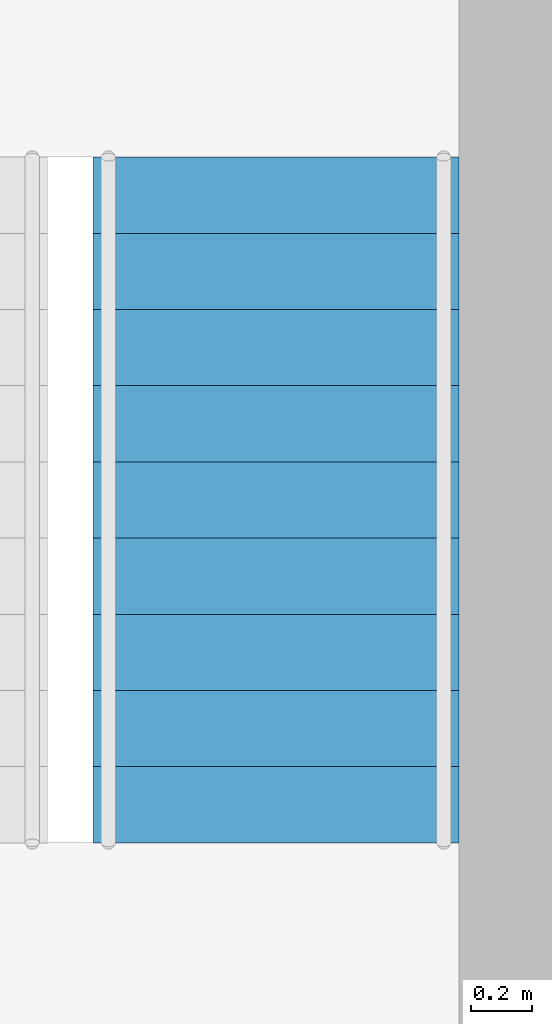
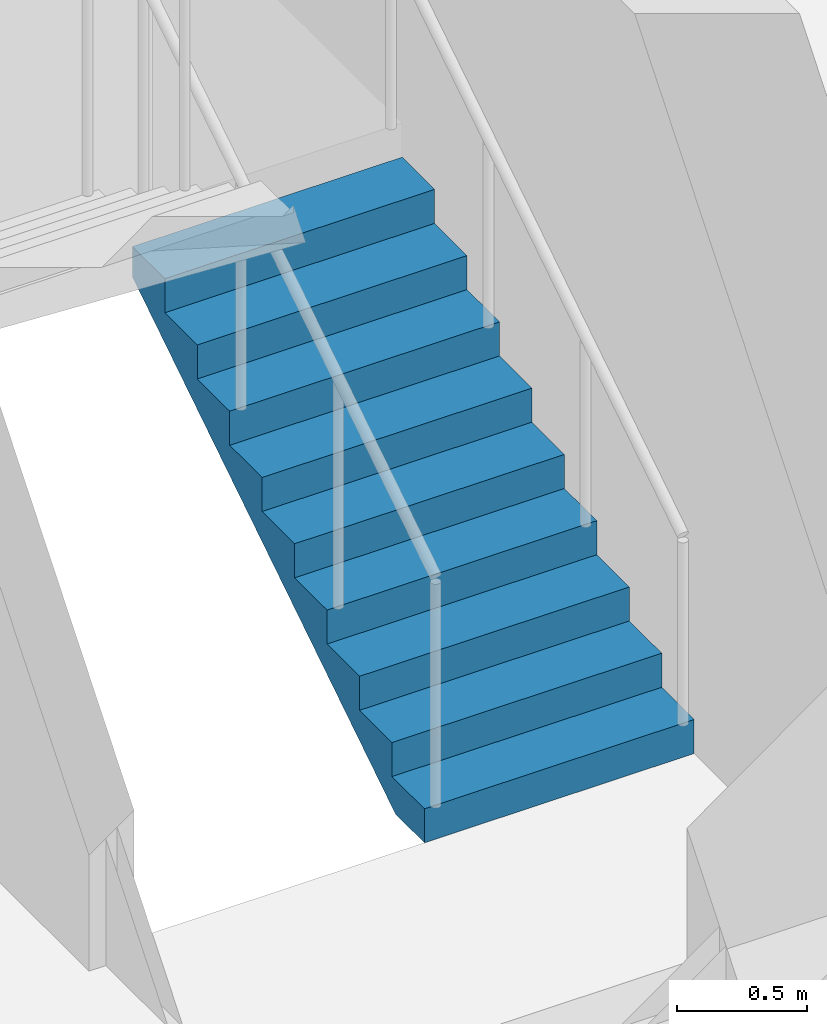
# One storey, part 10 of 13: 1 stair flight, 1 element without a shape of its own.
"""IFC4 building model written with IfcOpenShell, lengths in metres."""

import ifcopenshell
import ifcopenshell.guid

model = None  # the IFC model being written
_history = None  # IfcOwnerHistory: only IFC2X3 demands one
_inside = {}  # id of a spatial element -> (the spatial element, [elements in it])
_under = {}  # id of a project, library or spatial element -> (it, [spatial elements below it])
_declared = {}  # id of a project -> (the project, [libraries it declares])
_typed = {}  # id of a type object -> (the type object, [elements of that type])
_made_of = {}  # id of a material, layer set ... -> (it, [elements and type objects made of it])


def new_model(schema):
    """Start an empty IFC model of exactly this schema.

    Asked for "IFC4X3", IfcOpenShell would pick the latest addendum, in which some entities
    have other attributes; the version numbers below select the first issue.
    IFC2X3 requires an IfcOwnerHistory on every rooted entity: one is made here for all.
    """
    global model, _history
    if schema == "IFC4X3":
        model = ifcopenshell.file(schema_version=(4, 3, 0, 0))
    else:
        model = ifcopenshell.file(schema=schema)
    _inside.clear()
    _under.clear()
    _declared.clear()
    _typed.clear()
    _made_of.clear()
    _history = None
    if model.schema == "IFC2X3":
        org = make("IfcOrganization", Name="unknown")
        user = make(
            "IfcPersonAndOrganization",
            ThePerson=make("IfcPerson", FamilyName="unknown"),
            TheOrganization=org,
        )
        app = make(
            "IfcApplication",
            ApplicationDeveloper=org,
            Version="unknown",
            ApplicationFullName="unknown",
            ApplicationIdentifier="unknown",
        )
        _history = make(
            "IfcOwnerHistory",
            OwningUser=user,
            OwningApplication=app,
            ChangeAction="ADDED",
            CreationDate=0,
        )
    return model


def make(cls, **values):
    """One entity of the class cls with the attributes given. An attribute that is None is left unset."""
    return model.create_entity(
        cls, **{name: value for name, value in values.items() if value is not None}
    )


def rooted(cls, **values):
    """An entity with a GlobalId (a new one), such as an element, a storey or a relation."""
    return make(cls, GlobalId=ifcopenshell.guid.new(), OwnerHistory=_history, **values)


def si_unit(unit_type, name, prefix=None):
    """IfcSIUnit, for example si_unit("LENGTHUNIT", "METRE", prefix="MILLI")."""
    return make("IfcSIUnit", UnitType=unit_type, Prefix=prefix, Name=name)


def assignment(units):
    """IfcUnitAssignment: the units of a project."""
    return None if units is None else make("IfcUnitAssignment", Units=units)


def point(xyz):
    """IfcCartesianPoint."""
    return None if xyz is None else make("IfcCartesianPoint", Coordinates=xyz)


def direction(xyz):
    """IfcDirection."""
    return None if xyz is None else make("IfcDirection", DirectionRatios=xyz)


def frame(location, z_axis=None, x_axis=None):
    """IfcAxis2Placement3D, a coordinate frame: its origin and axes. An axis left out is left unset."""
    return make(
        "IfcAxis2Placement3D",
        Location=point(location),
        Axis=direction(z_axis),
        RefDirection=direction(x_axis),
    )


def origin():
    """The frame at (0, 0, 0) with its axes left unset."""
    return frame((0.0, 0.0, 0.0))


def place(relative_to, where):
    """IfcLocalPlacement: puts the frame where relative to a parent placement (None: the world)."""
    return make(
        "IfcLocalPlacement", PlacementRelTo=relative_to, RelativePlacement=where
    )


def context(
    kind, dimensions, precision=None, world=None, true_north=None, identifier=None
):
    """IfcGeometricRepresentationContext, for example the 3D "Model" context."""
    return make(
        "IfcGeometricRepresentationContext",
        ContextIdentifier=identifier,
        ContextType=kind,
        CoordinateSpaceDimension=dimensions,
        Precision=precision,
        WorldCoordinateSystem=world,
        TrueNorth=true_north,
    )


def subcontext(parent, identifier, kind, view, scale=None):
    """IfcGeometricRepresentationSubContext, for example "Body" below "Model"."""
    return make(
        "IfcGeometricRepresentationSubContext",
        ContextIdentifier=identifier,
        ContextType=kind,
        ParentContext=parent,
        TargetScale=scale,
        TargetView=view,
    )


def project(units=None, contexts=None):
    """IfcProject with its units and contexts."""
    return rooted(
        "IfcProject",
        Name="project",
        RepresentationContexts=contexts,
        UnitsInContext=assignment(units),
    )


def spatial(cls, under=None, at=None, **own):
    """A site, building, storey or space (cls), placed at a placement, below another one or the project."""
    s = rooted(cls, ObjectPlacement=at, **own)
    if under is not None:
        _under.setdefault(under.id(), (under, []))[1].append(s)
    return s


def polyline(points):
    """IfcPolyline through the points."""
    return make("IfcPolyline", Points=[point(p) for p in points])


def outline(outer, holes=None, kind="AREA"):
    """IfcArbitraryClosedProfileDef: a profile drawn as a closed curve; with holes, ...WithVoids."""
    if holes is None:
        return make("IfcArbitraryClosedProfileDef", ProfileType=kind, OuterCurve=outer)
    return make(
        "IfcArbitraryProfileDefWithVoids",
        ProfileType=kind,
        OuterCurve=outer,
        InnerCurves=holes,
    )


def extrude(swept, where, along, depth):
    """IfcExtrudedAreaSolid: the profile swept, set in the frame where, extruded along a direction by depth."""
    return make(
        "IfcExtrudedAreaSolid",
        SweptArea=swept,
        Position=where,
        ExtrudedDirection=direction(along),
        Depth=depth,
    )


def shape(context_of_items, identifier, shape_type, items):
    """IfcShapeRepresentation: the items that make up one representation, for example the "Body"."""
    return make(
        "IfcShapeRepresentation",
        ContextOfItems=context_of_items,
        RepresentationIdentifier=identifier,
        RepresentationType=shape_type,
        Items=items,
    )


def material(Name=None, Category=None):
    """IfcMaterial."""
    return make("IfcMaterial", Name=Name, Category=Category)


def made_of(thing, what):
    """Note that an element or type object is made of a material, layer set ...; save() writes the relation."""
    if what is not None:
        _made_of.setdefault(what.id(), (what, []))[1].append(thing)
    return thing


def type_object(cls, material=None, **own):
    """A type object (cls), such as IfcWallType, which elements share."""
    return made_of(rooted(cls, **own), material)


def element(
    cls,
    number,
    at=None,
    inside=None,
    cuts=None,
    type_object=None,
    material=None,
    context=None,
    identifier="Body",
    shape_type=None,
    held_by="IfcProductDefinitionShape",
    body=None,
    shapes=None,
    **own,
):
    """One element of the class cls, such as IfcWall. Its Tag is "e" and its number.

    at: its placement. inside: the storey or other place that contains it. cuts: it is an
    opening in that element (IfcRelVoidsElement). A single representation is given by context,
    identifier, shape_type and body (its items); several are given by shapes. held_by: the class
    of the entity that holds the representations. save() writes the other relations.
    """
    e = rooted(cls, Tag="e%d" % number, ObjectPlacement=at, **own)
    if body is not None:
        shapes = [shape(context, identifier, shape_type, body)]
    if shapes is not None:
        e.Representation = make(held_by, Representations=shapes)
    if inside is not None:
        _inside.setdefault(inside.id(), (inside, []))[1].append(e)
    if cuts is not None:
        rooted(
            "IfcRelVoidsElement", RelatingBuildingElement=cuts, RelatedOpeningElement=e
        )
    if type_object is not None:
        _typed.setdefault(type_object.id(), (type_object, []))[1].append(e)
    return made_of(e, material)


def aggregate(whole, parts):
    """IfcRelAggregates: a whole, such as a stair, and the parts it consists of."""
    return rooted("IfcRelAggregates", RelatingObject=whole, RelatedObjects=parts)


def save(model, path):
    """Write the relations noted so far, then the file.

    IfcRelAggregates (storeys below a building ...), IfcRelContainedInSpatialStructure (elements
    in a storey), IfcRelDefinesByType, IfcRelAssociatesMaterial and IfcRelDeclares: one each for
    every whole, place, type object, material and project.
    """
    for whole, parts in _under.values():
        aggregate(whole, parts)
    for where, things in _inside.values():
        rooted(
            "IfcRelContainedInSpatialStructure",
            RelatedElements=things,
            RelatingStructure=where,
        )
    for kind, things in _typed.values():
        rooted("IfcRelDefinesByType", RelatedObjects=things, RelatingType=kind)
    for what, things in _made_of.values():
        rooted("IfcRelAssociatesMaterial", RelatedObjects=things, RelatingMaterial=what)
    for by, libraries in _declared.values():
        rooted("IfcRelDeclares", RelatingContext=by, RelatedDefinitions=libraries)
    model.write(path)


model = new_model("IFC4")

# Units and contexts
model_context = context("Model", 3, precision=1e-05, world=origin(), true_north=direction((0.0, 1.0)))
body_context = subcontext(model_context, "Body", "Model", "MODEL_VIEW")
ifc_project = project(units=[si_unit("LENGTHUNIT", "METRE"), si_unit("AREAUNIT", "SQUARE_METRE"), si_unit("VOLUMEUNIT", "CUBIC_METRE"), si_unit("PLANEANGLEUNIT", "RADIAN"), si_unit("MASSUNIT", "GRAM", prefix="KILO")], contexts=[model_context])

# Site, building, storey
site_placement = place(None, origin())
site = spatial("IfcSite", under=ifc_project, at=site_placement, CompositionType="ELEMENT")
building_placement = place(site_placement, origin())
building = spatial("IfcBuilding", under=site, at=building_placement, Name="Girih Gate Residences", CompositionType="ELEMENT")
storey_placement = place(building_placement, frame((0.0, 0.0, 102.39990234375)))
storey = spatial("IfcBuildingStorey", under=building, at=storey_placement, Name="L28", CompositionType="ELEMENT", Elevation=102.39990234375)

# Stair, stair flight
ifc_material = material(Name="Concrete C40/50", Category="concrete")
stair_type = type_object("IfcStairType", Name="Exit stair", PredefinedType="HALF_TURN_STAIR", material=ifc_material)
stair_placement = place(storey_placement, origin())
stair = element("IfcStair", 1, at=stair_placement, inside=storey, type_object=stair_type, Name="L28 Exit Stair ST-E1", PredefinedType="HALF_TURN_STAIR")
stair_flight_type = type_object("IfcStairFlightType", Name="Stair flight 1200", PredefinedType="STRAIGHT", material=ifc_material)
stair_flight_placement = place(storey_placement, frame((43.699951171875, 28.89990234375, 0.0), z_axis=(0.0, 0.0, 1.0), x_axis=(0.0, 1.0, 0.0)))
stair_flight = element("IfcStairFlight", 2, at=stair_flight_placement, type_object=stair_flight_type, Name="ST-E1 flight 1", NumberOfRisers=10, NumberOfTreads=9, PredefinedType="STRAIGHT", RiserHeight=0.16, TreadLength=0.25, context=body_context, shape_type="SweptSolid", body=[
    extrude(outline(polyline([(0.0, 0.0), (0.0, 0.159912109375), (0.25, 0.159912109375), (0.25, 0.320068359375), (0.5, 0.320068359375), (0.5, 0.47998046875), (0.75, 0.47998046875), (0.75, 0.639892578125), (1.0, 0.639892578125), (1.0, 0.800048828125), (1.25, 0.800048828125), (1.25, 0.9599609375), (1.5, 0.9599609375), (1.5, 1.1201171875), (1.75, 1.1201171875), (1.75, 1.280029296875), (2.0, 1.280029296875), (2.0, 1.43994140625), (2.25, 1.43994140625), (2.25, 1.60009765625), (2.25, 1.29736328125), (0.222900390625, 0.0), (0.0, 0.0)])), frame((0.0, 0.60009765625, 0.0), z_axis=(0.0, -1.0, 0.0), x_axis=(1.0, 0.0, 0.0)), (0.0, 0.0, 1.0), 1.199951171875),
])
aggregate(stair, [stair_flight])

save(model, "model.ifc")
